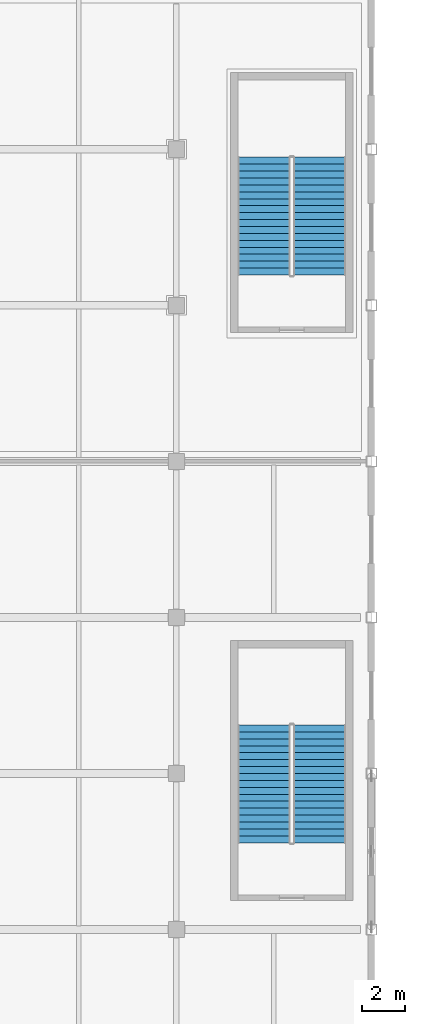
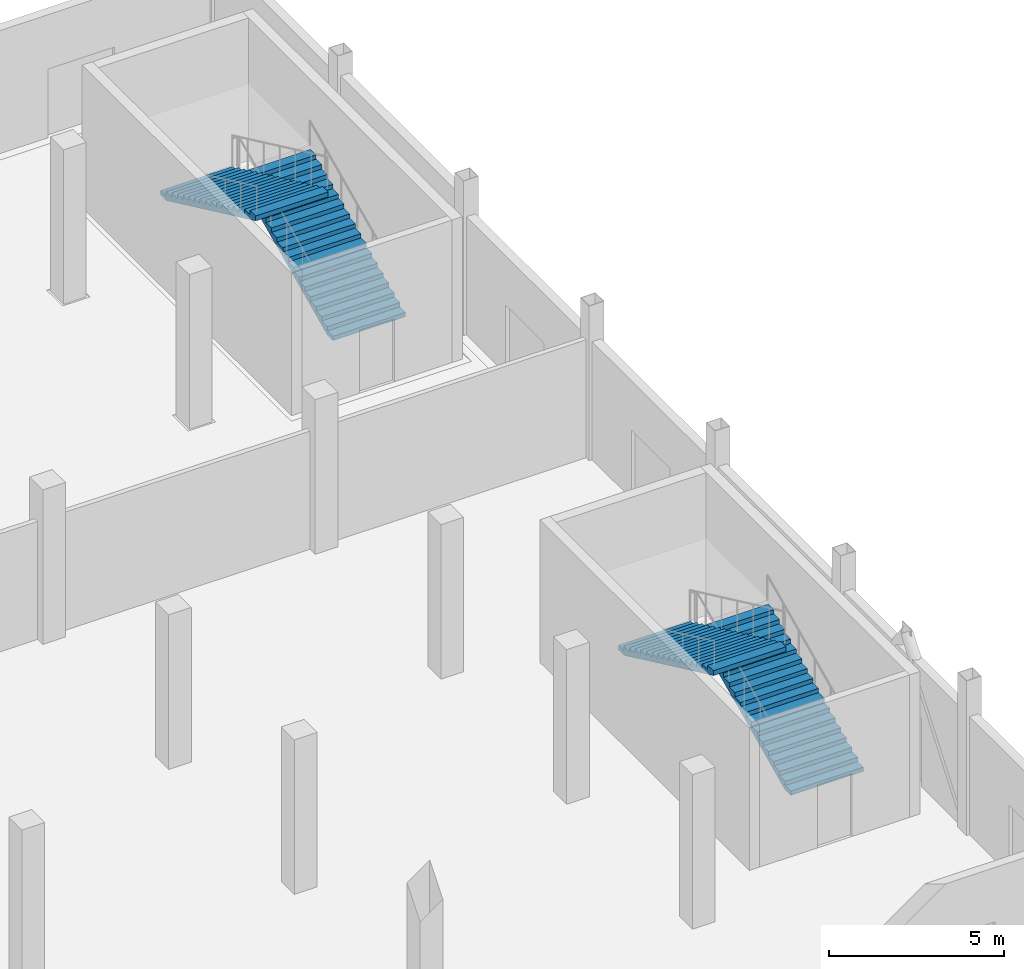
# One storey, part 103 of 137: 4 stair flights, 2 elements without a shape of their own.
"""IFC4 building model written with IfcOpenShell, lengths in metres."""

from ifc_helpers import new_model, si_unit, direction, frame, origin, place, context, subcontext, project, spatial, polyline, outline, extrude, material, type_object, element, aggregate, save


model = new_model("IFC4")

# Units and contexts
model_context = context("Model", 3, precision=1e-05, world=origin(), true_north=direction((0.0, 1.0)))
body_context = subcontext(model_context, "Body", "Model", "MODEL_VIEW")
ifc_project = project(units=[si_unit("LENGTHUNIT", "METRE"), si_unit("AREAUNIT", "SQUARE_METRE"), si_unit("VOLUMEUNIT", "CUBIC_METRE"), si_unit("PLANEANGLEUNIT", "RADIAN"), si_unit("MASSUNIT", "GRAM", prefix="KILO")], contexts=[model_context])

# Site, building, storey
site_placement = place(None, origin())
site = spatial("IfcSite", under=ifc_project, at=site_placement, CompositionType="ELEMENT")
building_placement = place(site_placement, origin())
building = spatial("IfcBuilding", under=site, at=building_placement, Name="Celestram Park Convention Centre", CompositionType="ELEMENT")
storey_placement = place(building_placement, origin())
storey = spatial("IfcBuildingStorey", under=building, at=storey_placement, Name="L00", CompositionType="ELEMENT", Elevation=0.0)

# Stair, stair flights
ifc_material = material(Name="Precast Concrete C40/50", Category="concrete")
stair_type = type_object("IfcStairType", Name="ARC-STR-DOG54", PredefinedType="HALF_TURN_STAIR", material=ifc_material)
stair_1_placement = place(storey_placement, origin())
stair_1 = element("IfcStair", 1, at=stair_1_placement, inside=storey, type_object=stair_type, Name="L00 Core S07 stair ST-07", PredefinedType="HALF_TURN_STAIR")
stair_flight_type = type_object("IfcStairFlightType", Name="ARC-FLT-18R", PredefinedType="STRAIGHT", material=ifc_material)
stair_flight_1_placement = place(storey_placement, frame((213.60009765625, 152.60009765625, 0.0), z_axis=(0.0, 0.0, 1.0), x_axis=(0.0, 1.0, 0.0)))
stair_flight_1 = element("IfcStairFlight", 2, at=stair_flight_1_placement, type_object=stair_flight_type, Name="ST-07 flight 1", NumberOfRisers=18, NumberOfTreads=17, PredefinedType="STRAIGHT", RiserHeight=0.15, TreadLength=0.32, context=body_context, shape_type="SweptSolid", body=[
    extrude(outline(polyline([(0.0, 0.0), (0.0, 0.14990234375), (0.320068359375, 0.14990234375), (0.320068359375, 0.300048828125), (0.639892578125, 0.300048828125), (0.639892578125, 0.449951171875), (0.9599609375, 0.449951171875), (0.9599609375, 0.60009765625), (1.280029296875, 0.60009765625), (1.280029296875, 0.75), (1.60009765625, 0.75), (1.60009765625, 0.89990234375), (1.919921875, 0.89990234375), (1.919921875, 1.050048828125), (2.239990234375, 1.050048828125), (2.239990234375, 1.199951171875), (2.56005859375, 1.199951171875), (2.56005859375, 1.35009765625), (2.8798828125, 1.35009765625), (2.8798828125, 1.5), (3.199951171875, 1.5), (3.199951171875, 1.64990234375), (3.52001953125, 1.64990234375), (3.52001953125, 1.800048828125), (3.840087890625, 1.800048828125), (3.840087890625, 1.949951171875), (4.159912109375, 1.949951171875), (4.159912109375, 2.10009765625), (4.47998046875, 2.10009765625), (4.47998046875, 2.25), (4.800048828125, 2.25), (4.800048828125, 2.39990234375), (5.1201171875, 2.39990234375), (5.1201171875, 2.550048828125), (5.43994140625, 2.550048828125), (5.43994140625, 2.699951171875), (5.43994140625, 2.384521484375), (0.353271484375, 0.0), (0.0, 0.0)])), frame((0.0, 1.199951171875, 0.0), z_axis=(0.0, -1.0, 0.0), x_axis=(1.0, 0.0, 0.0)), (0.0, 0.0, 1.0), 2.39990234375),
])
stair_flight_2_placement = place(storey_placement, frame((211.0400390625, 158.0400390625, 2.699951171875), z_axis=(0.0, 0.0, 1.0), x_axis=(0.0, -1.0, 0.0)))
stair_flight_2 = element("IfcStairFlight", 3, at=stair_flight_2_placement, type_object=stair_flight_type, Name="ST-07 flight 2", NumberOfRisers=18, NumberOfTreads=17, PredefinedType="STRAIGHT", RiserHeight=0.15, TreadLength=0.32, context=body_context, shape_type="SweptSolid", body=[
    extrude(outline(polyline([(0.0, 0.0), (0.0, 0.14990234375), (0.320068359375, 0.14990234375), (0.320068359375, 0.300048828125), (0.639892578125, 0.300048828125), (0.639892578125, 0.449951171875), (0.9599609375, 0.449951171875), (0.9599609375, 0.60009765625), (1.280029296875, 0.60009765625), (1.280029296875, 0.75), (1.60009765625, 0.75), (1.60009765625, 0.89990234375), (1.919921875, 0.89990234375), (1.919921875, 1.050048828125), (2.239990234375, 1.050048828125), (2.239990234375, 1.199951171875), (2.56005859375, 1.199951171875), (2.56005859375, 1.35009765625), (2.8798828125, 1.35009765625), (2.8798828125, 1.5), (3.199951171875, 1.5), (3.199951171875, 1.64990234375), (3.52001953125, 1.64990234375), (3.52001953125, 1.800048828125), (3.840087890625, 1.800048828125), (3.840087890625, 1.949951171875), (4.159912109375, 1.949951171875), (4.159912109375, 2.10009765625), (4.47998046875, 2.10009765625), (4.47998046875, 2.25), (4.800048828125, 2.25), (4.800048828125, 2.39990234375), (5.1201171875, 2.39990234375), (5.1201171875, 2.550048828125), (5.43994140625, 2.550048828125), (5.43994140625, 2.699951171875), (5.43994140625, 2.384521484375), (0.353271484375, 0.0), (0.0, 0.0)])), frame((0.0, 1.199951171875, 0.0), z_axis=(0.0, -1.0, 0.0), x_axis=(1.0, 0.0, 0.0)), (0.0, 0.0, 1.0), 2.39990234375),
])
aggregate(stair_1, [stair_flight_1, stair_flight_2])

stair_2_placement = place(storey_placement, origin())
stair_2 = element("IfcStair", 4, at=stair_2_placement, inside=storey, type_object=stair_type, Name="L00 Core S08 stair ST-08", PredefinedType="HALF_TURN_STAIR")
stair_flight_3_placement = place(storey_placement, frame((213.60009765625, 126.39990234375, 0.0), z_axis=(0.0, 0.0, 1.0), x_axis=(0.0, 1.0, 0.0)))
stair_flight_3 = element("IfcStairFlight", 5, at=stair_flight_3_placement, type_object=stair_flight_type, Name="ST-08 flight 1", NumberOfRisers=18, NumberOfTreads=17, PredefinedType="STRAIGHT", RiserHeight=0.15, TreadLength=0.32, context=body_context, shape_type="SweptSolid", body=[
    extrude(outline(polyline([(0.0, 0.0), (0.0, 0.14990234375), (0.320068359375, 0.14990234375), (0.320068359375, 0.300048828125), (0.639892578125, 0.300048828125), (0.639892578125, 0.449951171875), (0.9599609375, 0.449951171875), (0.9599609375, 0.60009765625), (1.280029296875, 0.60009765625), (1.280029296875, 0.75), (1.60009765625, 0.75), (1.60009765625, 0.89990234375), (1.919921875, 0.89990234375), (1.919921875, 1.050048828125), (2.239990234375, 1.050048828125), (2.239990234375, 1.199951171875), (2.56005859375, 1.199951171875), (2.56005859375, 1.35009765625), (2.8798828125, 1.35009765625), (2.8798828125, 1.5), (3.199951171875, 1.5), (3.199951171875, 1.64990234375), (3.52001953125, 1.64990234375), (3.52001953125, 1.800048828125), (3.840087890625, 1.800048828125), (3.840087890625, 1.949951171875), (4.159912109375, 1.949951171875), (4.159912109375, 2.10009765625), (4.47998046875, 2.10009765625), (4.47998046875, 2.25), (4.800048828125, 2.25), (4.800048828125, 2.39990234375), (5.1201171875, 2.39990234375), (5.1201171875, 2.550048828125), (5.43994140625, 2.550048828125), (5.43994140625, 2.699951171875), (5.43994140625, 2.384521484375), (0.353271484375, 0.0), (0.0, 0.0)])), frame((0.0, 1.199951171875, 0.0), z_axis=(0.0, -1.0, 0.0), x_axis=(1.0, 0.0, 0.0)), (0.0, 0.0, 1.0), 2.39990234375),
])
stair_flight_4_placement = place(storey_placement, frame((211.0400390625, 131.840087890625, 2.699951171875), z_axis=(0.0, 0.0, 1.0), x_axis=(0.0, -1.0, 0.0)))
stair_flight_4 = element("IfcStairFlight", 6, at=stair_flight_4_placement, type_object=stair_flight_type, Name="ST-08 flight 2", NumberOfRisers=18, NumberOfTreads=17, PredefinedType="STRAIGHT", RiserHeight=0.15, TreadLength=0.32, context=body_context, shape_type="SweptSolid", body=[
    extrude(outline(polyline([(0.0, 0.0), (0.0, 0.14990234375), (0.320068359375, 0.14990234375), (0.320068359375, 0.300048828125), (0.639892578125, 0.300048828125), (0.639892578125, 0.449951171875), (0.9599609375, 0.449951171875), (0.9599609375, 0.60009765625), (1.280029296875, 0.60009765625), (1.280029296875, 0.75), (1.60009765625, 0.75), (1.60009765625, 0.89990234375), (1.919921875, 0.89990234375), (1.919921875, 1.050048828125), (2.239990234375, 1.050048828125), (2.239990234375, 1.199951171875), (2.56005859375, 1.199951171875), (2.56005859375, 1.35009765625), (2.8798828125, 1.35009765625), (2.8798828125, 1.5), (3.199951171875, 1.5), (3.199951171875, 1.64990234375), (3.52001953125, 1.64990234375), (3.52001953125, 1.800048828125), (3.840087890625, 1.800048828125), (3.840087890625, 1.949951171875), (4.159912109375, 1.949951171875), (4.159912109375, 2.10009765625), (4.47998046875, 2.10009765625), (4.47998046875, 2.25), (4.800048828125, 2.25), (4.800048828125, 2.39990234375), (5.1201171875, 2.39990234375), (5.1201171875, 2.550048828125), (5.43994140625, 2.550048828125), (5.43994140625, 2.699951171875), (5.43994140625, 2.384521484375), (0.353271484375, 0.0), (0.0, 0.0)])), frame((0.0, 1.199951171875, 0.0), z_axis=(0.0, -1.0, 0.0), x_axis=(1.0, 0.0, 0.0)), (0.0, 0.0, 1.0), 2.39990234375),
])
aggregate(stair_2, [stair_flight_3, stair_flight_4])

save(model, "model.ifc")
